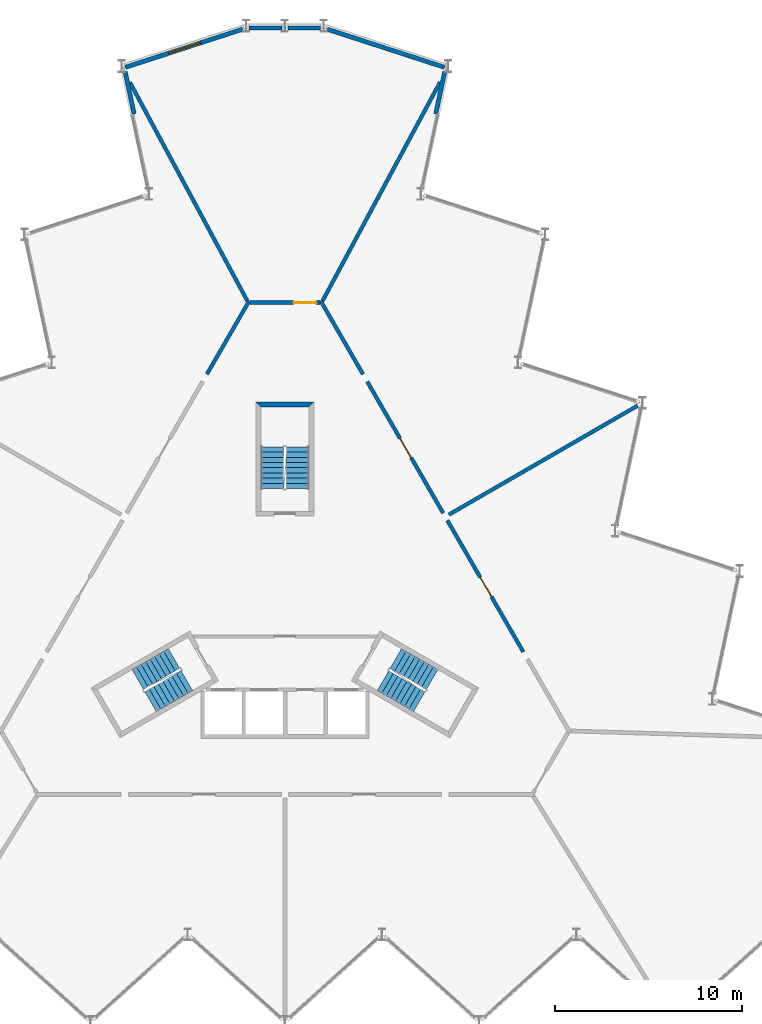
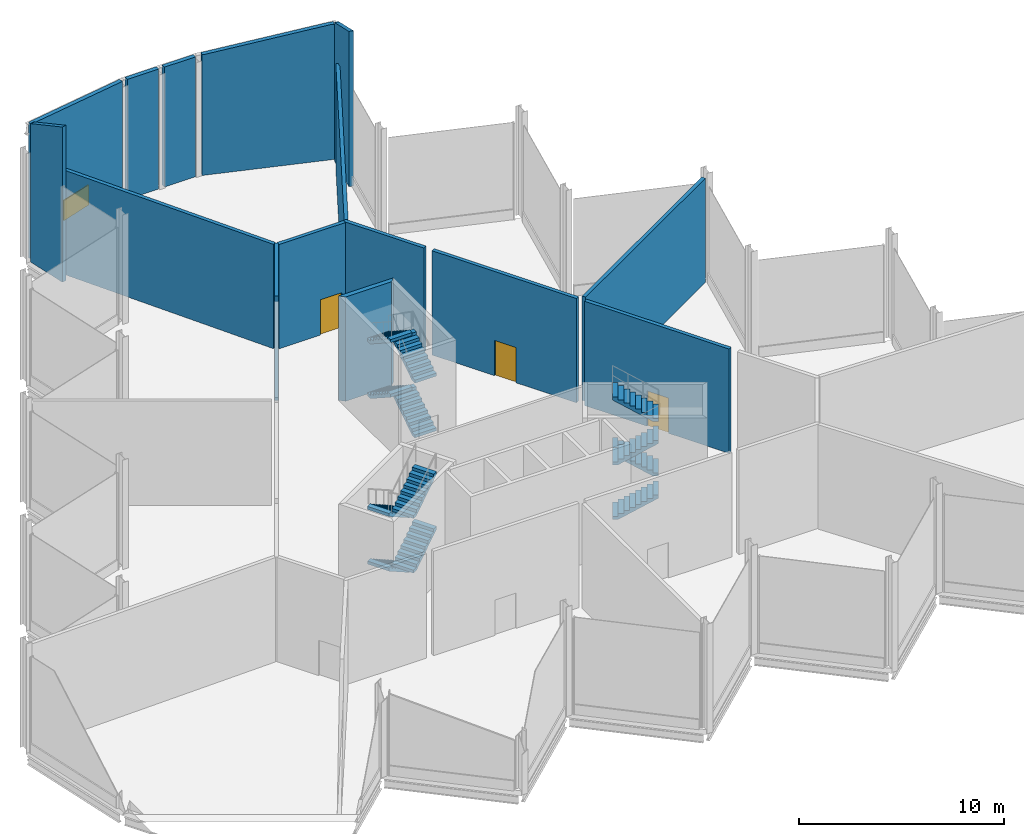
# One storey, part 11 of 12: 15 walls, 12 stair flights, 3 doors, 1 window, 4 openings, 3 elements without a shape of their own.
"""IFC4 building model written with IfcOpenShell, lengths in metres."""

from ifc_helpers import new_model, si_unit, direction, frame, frame_2d, origin, place, context, subcontext, project, spatial, polyline, rectangle, outline, extrude, material, layer, layer_set, type_object, element, fill, aggregate, save


model = new_model("IFC4")

# Units and contexts
model_context = context("Model", 3, precision=1e-05, world=origin(), true_north=direction((0.0, 1.0)))
body_context = subcontext(model_context, "Body", "Model", "MODEL_VIEW")
ifc_project = project(units=[si_unit("LENGTHUNIT", "METRE"), si_unit("AREAUNIT", "SQUARE_METRE"), si_unit("VOLUMEUNIT", "CUBIC_METRE"), si_unit("PLANEANGLEUNIT", "RADIAN"), si_unit("MASSUNIT", "GRAM", prefix="KILO")], contexts=[model_context])

# Site, building, storey
site_placement = place(None, origin())
site = spatial("IfcSite", under=ifc_project, at=site_placement, CompositionType="ELEMENT")
building_placement = place(site_placement, origin())
building = spatial("IfcBuilding", under=site, at=building_placement, Name="Cormorant Prow Tower", CompositionType="ELEMENT")
storey_placement = place(building_placement, frame((0.0, 0.0, 428.199951171875)))
storey = spatial("IfcBuildingStorey", under=building, at=storey_placement, Name="L96", CompositionType="ELEMENT", Elevation=428.199951171875)

# Wall, opening, door
ifc_material_1 = material(Name="Gypsum board corridor wall")
ifc_layer_1 = layer(ifc_material_1, 0.199951171875)
ifc_layer_set_1 = layer_set([ifc_layer_1], Name="Gypsum board corridor wall")
wall_type_1 = type_object("IfcWallType", Name="Corridor wall 200", PredefinedType="PARTITIONING", material=ifc_layer_set_1)
wall_1_placement = place(storey_placement, frame((4.403076171875, 12.184814453125, 0.0), z_axis=(0.0, 0.0, 1.0), x_axis=(0.499992155518, -0.866029932751, 0.0)))
wall_1 = element("IfcWall", 1, at=wall_1_placement, inside=storey, type_object=wall_type_1, Name="Corridor wall", PredefinedType="PARTITIONING", context=body_context, shape_type="SweptSolid", body=[
    extrude(rectangle(XDim=8.123291015625, YDim=0.199951171875, at=frame_2d((4.0615234375, 0.0))), origin(), (0.0, 0.0, 1.0), 6.199951171875),
])
opening_1_placement = place(wall_1_placement, frame((3.511962890625, 0.0, 0.0)))
opening_1 = element("IfcOpeningElement", 2, at=opening_1_placement, cuts=wall_1, Name="Opening L96-F08", PredefinedType="OPENING", context=body_context, shape_type="SweptSolid", body=[
    extrude(rectangle(XDim=1.199951171875, YDim=2.10009765625, at=frame_2d((0.60009765625, 1.050048828125))), frame((0.0, 0.10986328125, 0.0), z_axis=(0.0, -1.0, 0.0), x_axis=(1.0, 0.0, 0.0)), (0.0, 0.0, 1.0), 0.219970703125),
])
ifc_material_2 = material(Name="Timber door leaf", Category="wood")
door_type = type_object("IfcDoorType", Name="Plant room door 1200x2100", OperationType="NOTDEFINED", PredefinedType="DOOR", material=ifc_material_2)
door_1_placement = place(opening_1_placement, origin())
door_1 = element("IfcDoor", 3, at=door_1_placement, inside=storey, type_object=door_type, Name="Water tank room door", OperationType="SINGLE_SWING_RIGHT", OverallHeight=2.10009765625, OverallWidth=1.199951171875, PredefinedType="DOOR", context=body_context, shape_type="SweptSolid", body=[
    extrude(rectangle(XDim=1.199951171875, YDim=2.10009765625, at=frame_2d((0.60009765625, 1.050048828125))), frame((0.0, 0.02490234375, 0.0), z_axis=(0.0, -1.0, 0.0), x_axis=(1.0, 0.0, 0.0)), (0.0, 0.0, 1.0), 0.050048828125),
])
fill(opening_1, door_1)

wall_2_placement = place(storey_placement, frame((8.692138671875, 4.755859375, 0.0), z_axis=(0.0, 0.0, 1.0), x_axis=(0.500001682468, -0.866024432409, 0.0)))
wall_2 = element("IfcWall", 4, at=wall_2_placement, inside=storey, type_object=wall_type_1, Name="Corridor wall", PredefinedType="PARTITIONING", context=body_context, shape_type="SweptSolid", body=[
    extrude(rectangle(XDim=8.12353515625, YDim=0.199951171875, at=frame_2d((4.061767578125, 0.0))), origin(), (0.0, 0.0, 1.0), 6.199951171875),
])
opening_2_placement = place(wall_2_placement, frame((3.511962890625, 0.0, 0.0)))
opening_2 = element("IfcOpeningElement", 5, at=opening_2_placement, cuts=wall_2, Name="Opening L96-F06", PredefinedType="OPENING", context=body_context, shape_type="SweptSolid", body=[
    extrude(rectangle(XDim=1.199951171875, YDim=2.10009765625, at=frame_2d((0.60009765625, 1.050048828125))), frame((0.0, 0.10986328125, 0.0), z_axis=(0.0, -1.0, 0.0), x_axis=(1.0, 0.0, 0.0)), (0.0, 0.0, 1.0), 0.219970703125),
])
door_2_placement = place(opening_2_placement, origin())
door_2 = element("IfcDoor", 6, at=door_2_placement, inside=storey, type_object=door_type, Name="Damper plant room door", OperationType="SINGLE_SWING_LEFT", OverallHeight=2.10009765625, OverallWidth=1.199951171875, PredefinedType="DOOR", context=body_context, shape_type="SweptSolid", body=[
    extrude(rectangle(XDim=1.199951171875, YDim=2.10009765625, at=frame_2d((0.60009765625, 1.050048828125))), frame((0.0, 0.02490234375, 0.0), z_axis=(0.0, -1.0, 0.0), x_axis=(1.0, 0.0, 0.0)), (0.0, 0.0, 1.0), 0.050048828125),
])
fill(opening_2, door_2)

# Walls
for number, where, z_axis, x_axis, name in (
    (7, (1.9130859375, 16.497802734375, 0.0), (0.0, 0.0, 1.0), (0.499974648164, -0.866040040179, 0.0), "Corridor wall"),
    (8, (-4.175537109375, 12.578857421875, 0.0), (0.0, 0.0, 1.0), (0.499974648164, 0.866040040179, 0.0), "Corridor wall"),
):
    element("IfcWall", number, at=place(storey_placement, frame(where, z_axis=z_axis, x_axis=x_axis)), inside=storey, type_object=wall_type_1, Name=name, PredefinedType="PARTITIONING", context=body_context, shape_type="SweptSolid", body=[
        extrude(rectangle(XDim=4.525146484375, YDim=0.199951171875, at=frame_2d((2.2626953125, 0.0))), origin(), (0.0, 0.0, 1.0), 6.199951171875),
    ])

# Wall, opening, door
wall_3_placement = place(storey_placement, frame((-1.863037109375, 16.4111328125, 0.0), z_axis=(0.0, 0.0, 1.0), x_axis=(1.0, 0.0, 0.0)))
wall_3 = element("IfcWall", 9, at=wall_3_placement, inside=storey, type_object=wall_type_1, Name="Corridor wall", PredefinedType="PARTITIONING", context=body_context, shape_type="SweptSolid", body=[
    extrude(rectangle(XDim=3.72607421875, YDim=0.199951171875, at=frame_2d((1.863037109375, 0.0))), origin(), (0.0, 0.0, 1.0), 6.199951171875),
])
opening_3_placement = place(wall_3_placement, frame((2.324951171875, 0.0, 0.0)))
opening_3 = element("IfcOpeningElement", 10, at=opening_3_placement, cuts=wall_3, Name="Opening L96-F09", PredefinedType="OPENING", context=body_context, shape_type="SweptSolid", body=[
    extrude(rectangle(XDim=1.199951171875, YDim=2.10009765625, at=frame_2d((0.60009765625, 1.050048828125))), frame((0.0, 0.10986328125, 0.0), z_axis=(0.0, -1.0, 0.0), x_axis=(1.0, 0.0, 0.0)), (0.0, 0.0, 1.0), 0.219970703125),
])
door_3_placement = place(opening_3_placement, origin())
door_3 = element("IfcDoor", 11, at=door_3_placement, inside=storey, type_object=door_type, Name="Electrical switch room door", OperationType="SINGLE_SWING_RIGHT", OverallHeight=2.10009765625, OverallWidth=1.199951171875, PredefinedType="DOOR", context=body_context, shape_type="SweptSolid", body=[
    extrude(rectangle(XDim=1.199951171875, YDim=2.10009765625, at=frame_2d((0.60009765625, 1.050048828125))), frame((0.0, 0.02490234375, 0.0), z_axis=(0.0, -1.0, 0.0), x_axis=(1.0, 0.0, 0.0)), (0.0, 0.0, 1.0), 0.050048828125),
])
fill(opening_3, door_3)

# Walls
ifc_material_3 = material(Name="Gypsum board demising wall")
ifc_layer_2 = layer(ifc_material_3, 0.199951171875)
ifc_layer_set_2 = layer_set([ifc_layer_2], Name="Gypsum board demising wall")
wall_type_2 = type_object("IfcWallType", Name="Demising wall 200", PredefinedType="PARTITIONING", material=ifc_layer_set_2)
for number, where, z_axis, x_axis, name in (
    (12, (-8.296875, 28.1982421875, 0.0), (0.0, 0.0, 1.0), (0.473329013162, -0.880885716367, 0.0), "Demising wall"),
    (13, (2.010498046875, 16.4990234375, 0.0), (0.0, 0.0, 1.0), (0.473329013162, 0.880885716367, 0.0), "Demising wall"),
):
    element("IfcWall", number, at=place(storey_placement, frame(where, z_axis=z_axis, x_axis=x_axis)), inside=storey, type_object=wall_type_2, Name=name, PredefinedType="PARTITIONING", context=body_context, shape_type="SweptSolid", body=[
        extrude(rectangle(XDim=13.28125, YDim=0.199951171875, at=frame_2d((6.640625, 0.0))), origin(), (0.0, 0.0, 1.0), 6.199951171875),
    ])
wall_4_placement = place(storey_placement, frame((8.775390625, 5.06640625, 0.0), z_axis=(0.0, 0.0, 1.0), x_axis=(0.866023724155, 0.500002909193, 0.0)))
element("IfcWall", 14, at=wall_4_placement, inside=storey, type_object=wall_type_2, Name="Demising wall", PredefinedType="PARTITIONING", context=body_context, shape_type="SweptSolid", body=[
    extrude(rectangle(XDim=11.65478515625, YDim=0.199951171875, at=frame_2d((5.827392578125, 0.0))), origin(), (0.0, 0.0, 1.0), 6.199951171875),
])
ifc_material_4 = material(Name="Concrete 8000 psi", Category="concrete")
ifc_layer_3 = layer(ifc_material_4, 0.25)
ifc_layer_set_3 = layer_set([ifc_layer_3], Name="Concrete 8000 psi")
wall_type_3 = type_object("IfcWallType", Name="Stair wall 250", PredefinedType="SHEAR", material=ifc_layer_set_3)
wall_5_placement = place(storey_placement, origin())
element("IfcWall", 15, at=wall_5_placement, inside=storey, type_object=wall_type_3, Name="Stair ST3 enclosure wall (end)", PredefinedType="SHEAR", context=body_context, shape_type="SweptSolid", body=[
    extrude(outline(polyline([(1.5439453125, 11.0869140625), (-1.5439453125, 11.0869140625), (-1.2939453125, 10.8369140625), (1.2939453125, 10.8369140625), (1.5439453125, 11.0869140625)])), origin(), (0.0, 0.0, 1.0), 6.199951171875),
])
ifc_material_5 = material(Name="Terracotta", Category="masonry")
ifc_layer_4 = layer(ifc_material_5, 0.22998046875)
ifc_layer_set_4 = layer_set([ifc_layer_4], Name="Terracotta")
wall_type_4 = type_object("IfcWallType", Name="Terracotta crown cladding wall 230", PredefinedType="SOLIDWALL", material=ifc_layer_set_4)
wall_6_placement = place(storey_placement, frame((8.0673828125, 26.5, 0.0), z_axis=(0.0, 0.0, 1.0), x_axis=(0.208010679667, 0.978126554769, 0.0)))
element("IfcWall", 16, at=wall_6_placement, inside=storey, type_object=wall_type_4, Name="Terracotta raked crown wall ENE08", PredefinedType="SOLIDWALL", context=body_context, shape_type="SweptSolid", body=[
    extrude(outline(polyline([(0.0, 0.0), (2.306396484375, 0.0), (2.306396484375, 8.242431640625), (2.27294921875, 8.242431640625), (0.0, 9.2265625), (0.0, 0.0)])), frame((0.0, 0.114990234375, 0.0), z_axis=(0.0, -1.0, 0.0), x_axis=(1.0, 0.0, 0.0)), (0.0, 0.0, 1.0), 0.22998046875),
])
wall_7_placement = place(storey_placement, frame((8.536865234375, 28.99853515625, 0.0), z_axis=(0.0, 0.0, 1.0), x_axis=(-0.951051480046, 0.309032493925, 0.0)))
element("IfcWall", 17, at=wall_7_placement, inside=storey, type_object=wall_type_4, Name="Terracotta raked crown wall ENE09", PredefinedType="SOLIDWALL", context=body_context, shape_type="SweptSolid", body=[
    extrude(outline(polyline([(0.0, 0.0), (6.59423828125, 0.0), (6.59423828125, 7.1767578125), (6.467041015625, 7.1767578125), (0.201904296875, 8.033935546875), (0.0, 8.033935546875), (0.0, 0.0)])), frame((0.0, 0.114990234375, 0.0), z_axis=(0.0, -1.0, 0.0), x_axis=(1.0, 0.0, 0.0)), (0.0, 0.0, 1.0), 0.22998046875),
])
for number, where, z_axis, x_axis, name in (
    (18, (1.91064453125, 31.1044921875, 0.0), (0.0, 0.0, 1.0), (-1.0, 0.0, 0.0), "Terracotta raked crown wall N00"),
    (19, (-0.163330078125, 31.1044921875, 0.0), (0.0, 0.0, 1.0), (-1.0, 0.0, 0.0), "Terracotta raked crown wall N01"),
):
    element("IfcWall", number, at=place(storey_placement, frame(where, z_axis=z_axis, x_axis=x_axis)), inside=storey, type_object=wall_type_4, Name=name, PredefinedType="SOLIDWALL", context=body_context, shape_type="SweptSolid", body=[
        extrude(outline(polyline([(0.0, 0.0), (1.747314453125, 0.0), (1.747314453125, 7.126708984375), (1.54443359375, 7.126708984375), (0.20263671875, 7.126708984375), (0.0, 7.126708984375), (0.0, 0.0)])), frame((0.0, 0.114990234375, 0.0), z_axis=(0.0, -1.0, 0.0), x_axis=(1.0, 0.0, 0.0)), (0.0, 0.0, 1.0), 0.22998046875),
    ])

# Wall, opening, window
wall_8_placement = place(storey_placement, frame((-2.265380859375, 31.036376953125, 0.0), z_axis=(0.0, 0.0, 1.0), x_axis=(-0.951051480046, -0.309032493925, 0.0)))
wall_8 = element("IfcWall", 20, at=wall_8_placement, inside=storey, type_object=wall_type_4, Name="Terracotta raked crown wall WNW00", PredefinedType="SOLIDWALL", context=body_context, shape_type="SweptSolid", body=[
    extrude(outline(polyline([(0.0, 0.0), (6.59423828125, 0.0), (6.59423828125, 8.033935546875), (6.392333984375, 8.033935546875), (0.127197265625, 7.1767578125), (0.0, 7.1767578125), (0.0, 0.0)])), frame((0.0, 0.114990234375, 0.0), z_axis=(0.0, -1.0, 0.0), x_axis=(1.0, 0.0, 0.0)), (0.0, 0.0, 1.0), 0.22998046875),
])
opening_4_placement = place(wall_8_placement, frame((2.359619140625, 0.0, 1.0)))
opening_4 = element("IfcOpeningElement", 21, at=opening_4_placement, cuts=wall_8, Name="Opening WN2", PredefinedType="OPENING", context=body_context, shape_type="SweptSolid", body=[
    extrude(rectangle(XDim=1.800048828125, YDim=1.199951171875, at=frame_2d((0.89990234375, 0.60009765625))), frame((0.0, 0.125, 0.0), z_axis=(0.0, -1.0, 0.0), x_axis=(1.0, 0.0, 0.0)), (0.0, 0.0, 1.0), 0.25),
])
ifc_material_6 = material(Name="Aluminium 6063-T6", Category="aluminium")
window_type = type_object("IfcWindowType", Name="Crown skylight 1800x1200", PartitioningType="SINGLE_PANEL", PredefinedType="SKYLIGHT", material=ifc_material_6)
window_placement = place(opening_4_placement, origin())
window = element("IfcWindow", 22, at=window_placement, inside=storey, type_object=window_type, Name="Crown skylight WNW00", OverallHeight=1.199951171875, OverallWidth=1.800048828125, PartitioningType="SINGLE_PANEL", PredefinedType="SKYLIGHT", context=body_context, shape_type="SweptSolid", body=[
    extrude(rectangle(XDim=1.800048828125, YDim=1.199951171875, at=frame_2d((0.89990234375, 0.60009765625))), frame((0.0, 0.030029296875, 0.0), z_axis=(0.0, -1.0, 0.0), x_axis=(1.0, 0.0, 0.0)), (0.0, 0.0, 1.0), 0.06005859375),
])
fill(opening_4, window)

# Wall
wall_9_placement = place(storey_placement, frame((-8.547119140625, 28.755859375, 0.0), z_axis=(0.0, 0.0, 1.0), x_axis=(0.208010679667, -0.978126554769, 0.0)))
element("IfcWall", 23, at=wall_9_placement, inside=storey, type_object=wall_type_4, Name="Terracotta raked crown wall WNW01", PredefinedType="SOLIDWALL", context=body_context, shape_type="SweptSolid", body=[
    extrude(outline(polyline([(0.0, 0.0), (2.306396484375, 0.0), (2.306396484375, 9.2265625), (0.033447265625, 8.242431640625), (0.0, 8.242431640625), (0.0, 0.0)])), frame((0.0, 0.114990234375, 0.0), z_axis=(0.0, -1.0, 0.0), x_axis=(1.0, 0.0, 0.0)), (0.0, 0.0, 1.0), 0.22998046875),
])

# Stair, stair flights
ifc_material_7 = material(Name="Exit stair 36 risers")
stair_type = type_object("IfcStairType", Name="Exit stair 36 risers", PredefinedType="HALF_TURN_STAIR", material=ifc_material_7)
stair_1_placement = place(storey_placement, origin())
stair_1 = element("IfcStair", 24, at=stair_1_placement, inside=storey, type_object=stair_type, Name="L96 Exit stair ST1", PredefinedType="HALF_TURN_STAIR")
ifc_material_8 = material(Name="Concrete 5000 psi", Category="concrete")
stair_flight_type = type_object("IfcStairFlightType", Name="Stair flight 1219", PredefinedType="STRAIGHT", material=ifc_material_8)
stair_flight_1_placement = place(storey_placement, frame((-5.93310546875, -2.635009765625, 0.0), z_axis=(0.0, 0.0, 1.0), x_axis=(-0.866025403784, -0.5, 0.0)))
stair_flight_1 = element("IfcStairFlight", 25, at=stair_flight_1_placement, type_object=stair_flight_type, Name="ST1 flight 1", NumberOfRisers=9, NumberOfTreads=8, PredefinedType="STRAIGHT", RiserHeight=0.180555556, TreadLength=0.28, context=body_context, shape_type="SweptSolid", body=[
    extrude(outline(polyline([(0.0, 0.0), (0.0, 0.1806640625), (0.280029296875, 0.1806640625), (0.280029296875, 0.361083984375), (0.56005859375, 0.361083984375), (0.56005859375, 0.541748046875), (0.840087890625, 0.541748046875), (0.840087890625, 0.72216796875), (1.1201171875, 0.72216796875), (1.1201171875, 0.90283203125), (1.39990234375, 0.90283203125), (1.39990234375, 1.083251953125), (1.679931640625, 1.083251953125), (1.679931640625, 1.263916015625), (1.9599609375, 1.263916015625), (1.9599609375, 1.4443359375), (2.239990234375, 1.4443359375), (2.239990234375, 1.625), (2.239990234375, 1.26611328125), (0.276611328125, 0.0), (0.0, 0.0)])), frame((0.0, 0.609375, 0.0), z_axis=(0.0, -1.0, 0.0), x_axis=(1.0, 0.0, 0.0)), (0.0, 0.0, 1.0), 1.218994140625),
])
stair_flight_2_placement = place(storey_placement, frame((-7.1884765625, -4.940673828125, 1.625), z_axis=(0.0, 0.0, 1.0), x_axis=(0.866025403784, 0.5, 0.0)))
stair_flight_2 = element("IfcStairFlight", 26, at=stair_flight_2_placement, type_object=stair_flight_type, Name="ST1 flight 2", NumberOfRisers=9, NumberOfTreads=8, PredefinedType="STRAIGHT", RiserHeight=0.180555556, TreadLength=0.28, context=body_context, shape_type="SweptSolid", body=[
    extrude(outline(polyline([(0.0, 0.0), (0.0, 0.1806640625), (0.280029296875, 0.1806640625), (0.280029296875, 0.361083984375), (0.56005859375, 0.361083984375), (0.56005859375, 0.541748046875), (0.840087890625, 0.541748046875), (0.840087890625, 0.72216796875), (1.1201171875, 0.72216796875), (1.1201171875, 0.90283203125), (1.39990234375, 0.90283203125), (1.39990234375, 1.083251953125), (1.679931640625, 1.083251953125), (1.679931640625, 1.263916015625), (1.9599609375, 1.263916015625), (1.9599609375, 1.4443359375), (2.239990234375, 1.4443359375), (2.239990234375, 1.625), (2.239990234375, 1.26611328125), (0.276611328125, 0.0), (0.0, 0.0)])), frame((0.0, 0.609375, 0.0), z_axis=(0.0, -1.0, 0.0), x_axis=(1.0, 0.0, 0.0)), (0.0, 0.0, 1.0), 1.218994140625),
])
stair_flight_3_placement = place(storey_placement, frame((-5.93310546875, -2.635009765625, 3.25), z_axis=(0.0, 0.0, 1.0), x_axis=(-0.866025403784, -0.5, 0.0)))
stair_flight_3 = element("IfcStairFlight", 27, at=stair_flight_3_placement, type_object=stair_flight_type, Name="ST1 flight 3", NumberOfRisers=9, NumberOfTreads=8, PredefinedType="STRAIGHT", RiserHeight=0.180555556, TreadLength=0.28, context=body_context, shape_type="SweptSolid", body=[
    extrude(outline(polyline([(0.0, 0.0), (0.0, 0.1806640625), (0.280029296875, 0.1806640625), (0.280029296875, 0.361083984375), (0.56005859375, 0.361083984375), (0.56005859375, 0.541748046875), (0.840087890625, 0.541748046875), (0.840087890625, 0.72216796875), (1.1201171875, 0.72216796875), (1.1201171875, 0.90283203125), (1.39990234375, 0.90283203125), (1.39990234375, 1.083251953125), (1.679931640625, 1.083251953125), (1.679931640625, 1.263916015625), (1.9599609375, 1.263916015625), (1.9599609375, 1.4443359375), (2.239990234375, 1.4443359375), (2.239990234375, 1.625), (2.239990234375, 1.26611328125), (0.276611328125, 0.0), (0.0, 0.0)])), frame((0.0, 0.609375, 0.0), z_axis=(0.0, -1.0, 0.0), x_axis=(1.0, 0.0, 0.0)), (0.0, 0.0, 1.0), 1.218994140625),
])
stair_flight_4_placement = place(storey_placement, frame((-7.1884765625, -4.940673828125, 4.875), z_axis=(0.0, 0.0, 1.0), x_axis=(0.866025403784, 0.5, 0.0)))
stair_flight_4 = element("IfcStairFlight", 28, at=stair_flight_4_placement, type_object=stair_flight_type, Name="ST1 flight 4", NumberOfRisers=9, NumberOfTreads=8, PredefinedType="STRAIGHT", RiserHeight=0.180555556, TreadLength=0.28, context=body_context, shape_type="SweptSolid", body=[
    extrude(outline(polyline([(0.0, 0.0), (0.0, 0.1806640625), (0.280029296875, 0.1806640625), (0.280029296875, 0.361083984375), (0.56005859375, 0.361083984375), (0.56005859375, 0.541748046875), (0.840087890625, 0.541748046875), (0.840087890625, 0.72216796875), (1.1201171875, 0.72216796875), (1.1201171875, 0.90283203125), (1.39990234375, 0.90283203125), (1.39990234375, 1.083251953125), (1.679931640625, 1.083251953125), (1.679931640625, 1.263916015625), (1.9599609375, 1.263916015625), (1.9599609375, 1.4443359375), (2.239990234375, 1.4443359375), (2.239990234375, 1.625), (2.239990234375, 1.26611328125), (0.276611328125, 0.0), (0.0, 0.0)])), frame((0.0, 0.609375, 0.0), z_axis=(0.0, -1.0, 0.0), x_axis=(1.0, 0.0, 0.0)), (0.0, 0.0, 1.0), 1.218994140625),
])
aggregate(stair_1, [stair_flight_1, stair_flight_2, stair_flight_3, stair_flight_4])

stair_2_placement = place(storey_placement, origin())
stair_2 = element("IfcStair", 29, at=stair_2_placement, inside=storey, type_object=stair_type, Name="L96 Exit stair ST2", PredefinedType="HALF_TURN_STAIR")
stair_flight_5_placement = place(storey_placement, frame((5.24853515625, -3.82080078125, 0.0), z_axis=(0.0, 0.0, 1.0), x_axis=(0.866025403784, -0.5, 0.0)))
stair_flight_5 = element("IfcStairFlight", 30, at=stair_flight_5_placement, type_object=stair_flight_type, Name="ST2 flight 1", NumberOfRisers=9, NumberOfTreads=8, PredefinedType="STRAIGHT", RiserHeight=0.180555556, TreadLength=0.28, context=body_context, shape_type="SweptSolid", body=[
    extrude(outline(polyline([(0.0, 0.0), (0.0, 0.1806640625), (0.280029296875, 0.1806640625), (0.280029296875, 0.361083984375), (0.56005859375, 0.361083984375), (0.56005859375, 0.541748046875), (0.840087890625, 0.541748046875), (0.840087890625, 0.72216796875), (1.1201171875, 0.72216796875), (1.1201171875, 0.90283203125), (1.39990234375, 0.90283203125), (1.39990234375, 1.083251953125), (1.679931640625, 1.083251953125), (1.679931640625, 1.263916015625), (1.9599609375, 1.263916015625), (1.9599609375, 1.4443359375), (2.239990234375, 1.4443359375), (2.239990234375, 1.625), (2.239990234375, 1.26611328125), (0.276611328125, 0.0), (0.0, 0.0)])), frame((0.0, 0.609375, 0.0), z_axis=(0.0, -1.0, 0.0), x_axis=(1.0, 0.0, 0.0)), (0.0, 0.0, 1.0), 1.218994140625),
])
stair_flight_6_placement = place(storey_placement, frame((7.873046875, -3.755126953125, 1.625), z_axis=(0.0, 0.0, 1.0), x_axis=(-0.866025403784, 0.5, 0.0)))
stair_flight_6 = element("IfcStairFlight", 31, at=stair_flight_6_placement, type_object=stair_flight_type, Name="ST2 flight 2", NumberOfRisers=9, NumberOfTreads=8, PredefinedType="STRAIGHT", RiserHeight=0.180555556, TreadLength=0.28, context=body_context, shape_type="SweptSolid", body=[
    extrude(outline(polyline([(0.0, 0.0), (0.0, 0.1806640625), (0.280029296875, 0.1806640625), (0.280029296875, 0.361083984375), (0.56005859375, 0.361083984375), (0.56005859375, 0.541748046875), (0.840087890625, 0.541748046875), (0.840087890625, 0.72216796875), (1.1201171875, 0.72216796875), (1.1201171875, 0.90283203125), (1.39990234375, 0.90283203125), (1.39990234375, 1.083251953125), (1.679931640625, 1.083251953125), (1.679931640625, 1.263916015625), (1.9599609375, 1.263916015625), (1.9599609375, 1.4443359375), (2.239990234375, 1.4443359375), (2.239990234375, 1.625), (2.239990234375, 1.26611328125), (0.276611328125, 0.0), (0.0, 0.0)])), frame((0.0, 0.609375, 0.0), z_axis=(0.0, -1.0, 0.0), x_axis=(1.0, 0.0, 0.0)), (0.0, 0.0, 1.0), 1.218994140625),
])
stair_flight_7_placement = place(storey_placement, frame((5.24853515625, -3.82080078125, 3.25), z_axis=(0.0, 0.0, 1.0), x_axis=(0.866025403784, -0.5, 0.0)))
stair_flight_7 = element("IfcStairFlight", 32, at=stair_flight_7_placement, type_object=stair_flight_type, Name="ST2 flight 3", NumberOfRisers=9, NumberOfTreads=8, PredefinedType="STRAIGHT", RiserHeight=0.180555556, TreadLength=0.28, context=body_context, shape_type="SweptSolid", body=[
    extrude(outline(polyline([(0.0, 0.0), (0.0, 0.1806640625), (0.280029296875, 0.1806640625), (0.280029296875, 0.361083984375), (0.56005859375, 0.361083984375), (0.56005859375, 0.541748046875), (0.840087890625, 0.541748046875), (0.840087890625, 0.72216796875), (1.1201171875, 0.72216796875), (1.1201171875, 0.90283203125), (1.39990234375, 0.90283203125), (1.39990234375, 1.083251953125), (1.679931640625, 1.083251953125), (1.679931640625, 1.263916015625), (1.9599609375, 1.263916015625), (1.9599609375, 1.4443359375), (2.239990234375, 1.4443359375), (2.239990234375, 1.625), (2.239990234375, 1.26611328125), (0.276611328125, 0.0), (0.0, 0.0)])), frame((0.0, 0.609375, 0.0), z_axis=(0.0, -1.0, 0.0), x_axis=(1.0, 0.0, 0.0)), (0.0, 0.0, 1.0), 1.218994140625),
])
stair_flight_8_placement = place(storey_placement, frame((7.873046875, -3.755126953125, 4.875), z_axis=(0.0, 0.0, 1.0), x_axis=(-0.866025403784, 0.5, 0.0)))
stair_flight_8 = element("IfcStairFlight", 33, at=stair_flight_8_placement, type_object=stair_flight_type, Name="ST2 flight 4", NumberOfRisers=9, NumberOfTreads=8, PredefinedType="STRAIGHT", RiserHeight=0.180555556, TreadLength=0.28, context=body_context, shape_type="SweptSolid", body=[
    extrude(outline(polyline([(0.0, 0.0), (0.0, 0.1806640625), (0.280029296875, 0.1806640625), (0.280029296875, 0.361083984375), (0.56005859375, 0.361083984375), (0.56005859375, 0.541748046875), (0.840087890625, 0.541748046875), (0.840087890625, 0.72216796875), (1.1201171875, 0.72216796875), (1.1201171875, 0.90283203125), (1.39990234375, 0.90283203125), (1.39990234375, 1.083251953125), (1.679931640625, 1.083251953125), (1.679931640625, 1.263916015625), (1.9599609375, 1.263916015625), (1.9599609375, 1.4443359375), (2.239990234375, 1.4443359375), (2.239990234375, 1.625), (2.239990234375, 1.26611328125), (0.276611328125, 0.0), (0.0, 0.0)])), frame((0.0, 0.609375, 0.0), z_axis=(0.0, -1.0, 0.0), x_axis=(1.0, 0.0, 0.0)), (0.0, 0.0, 1.0), 1.218994140625),
])
aggregate(stair_2, [stair_flight_5, stair_flight_6, stair_flight_7, stair_flight_8])

stair_3_placement = place(storey_placement, origin())
stair_3 = element("IfcStair", 34, at=stair_3_placement, inside=storey, type_object=stair_type, Name="L96 Exit stair ST3", PredefinedType="HALF_TURN_STAIR")
stair_flight_9_placement = place(storey_placement, frame((0.6845703125, 6.455810546875, 0.0), z_axis=(0.0, 0.0, 1.0), x_axis=(0.0, 1.0, 0.0)))
stair_flight_9 = element("IfcStairFlight", 35, at=stair_flight_9_placement, type_object=stair_flight_type, Name="ST3 flight 1", NumberOfRisers=9, NumberOfTreads=8, PredefinedType="STRAIGHT", RiserHeight=0.180555556, TreadLength=0.28, context=body_context, shape_type="SweptSolid", body=[
    extrude(outline(polyline([(0.0, 0.0), (0.0, 0.1806640625), (0.280029296875, 0.1806640625), (0.280029296875, 0.361083984375), (0.56005859375, 0.361083984375), (0.56005859375, 0.541748046875), (0.840087890625, 0.541748046875), (0.840087890625, 0.72216796875), (1.1201171875, 0.72216796875), (1.1201171875, 0.90283203125), (1.39990234375, 0.90283203125), (1.39990234375, 1.083251953125), (1.679931640625, 1.083251953125), (1.679931640625, 1.263916015625), (1.9599609375, 1.263916015625), (1.9599609375, 1.4443359375), (2.239990234375, 1.4443359375), (2.239990234375, 1.625), (2.239990234375, 1.26611328125), (0.276611328125, 0.0), (0.0, 0.0)])), frame((0.0, 0.609375, 0.0), z_axis=(0.0, -1.0, 0.0), x_axis=(1.0, 0.0, 0.0)), (0.0, 0.0, 1.0), 1.218994140625),
])
stair_flight_10_placement = place(storey_placement, frame((-0.6845703125, 8.69580078125, 1.625), z_axis=(0.0, 0.0, 1.0), x_axis=(0.0, -1.0, 0.0)))
stair_flight_10 = element("IfcStairFlight", 36, at=stair_flight_10_placement, type_object=stair_flight_type, Name="ST3 flight 2", NumberOfRisers=9, NumberOfTreads=8, PredefinedType="STRAIGHT", RiserHeight=0.180555556, TreadLength=0.28, context=body_context, shape_type="SweptSolid", body=[
    extrude(outline(polyline([(0.0, 0.0), (0.0, 0.1806640625), (0.280029296875, 0.1806640625), (0.280029296875, 0.361083984375), (0.56005859375, 0.361083984375), (0.56005859375, 0.541748046875), (0.840087890625, 0.541748046875), (0.840087890625, 0.72216796875), (1.1201171875, 0.72216796875), (1.1201171875, 0.90283203125), (1.39990234375, 0.90283203125), (1.39990234375, 1.083251953125), (1.679931640625, 1.083251953125), (1.679931640625, 1.263916015625), (1.9599609375, 1.263916015625), (1.9599609375, 1.4443359375), (2.239990234375, 1.4443359375), (2.239990234375, 1.625), (2.239990234375, 1.26611328125), (0.276611328125, 0.0), (0.0, 0.0)])), frame((0.0, 0.609375, 0.0), z_axis=(0.0, -1.0, 0.0), x_axis=(1.0, 0.0, 0.0)), (0.0, 0.0, 1.0), 1.218994140625),
])
stair_flight_11_placement = place(storey_placement, frame((0.6845703125, 6.455810546875, 3.25), z_axis=(0.0, 0.0, 1.0), x_axis=(0.0, 1.0, 0.0)))
stair_flight_11 = element("IfcStairFlight", 37, at=stair_flight_11_placement, type_object=stair_flight_type, Name="ST3 flight 3", NumberOfRisers=9, NumberOfTreads=8, PredefinedType="STRAIGHT", RiserHeight=0.180555556, TreadLength=0.28, context=body_context, shape_type="SweptSolid", body=[
    extrude(outline(polyline([(0.0, 0.0), (0.0, 0.1806640625), (0.280029296875, 0.1806640625), (0.280029296875, 0.361083984375), (0.56005859375, 0.361083984375), (0.56005859375, 0.541748046875), (0.840087890625, 0.541748046875), (0.840087890625, 0.72216796875), (1.1201171875, 0.72216796875), (1.1201171875, 0.90283203125), (1.39990234375, 0.90283203125), (1.39990234375, 1.083251953125), (1.679931640625, 1.083251953125), (1.679931640625, 1.263916015625), (1.9599609375, 1.263916015625), (1.9599609375, 1.4443359375), (2.239990234375, 1.4443359375), (2.239990234375, 1.625), (2.239990234375, 1.26611328125), (0.276611328125, 0.0), (0.0, 0.0)])), frame((0.0, 0.609375, 0.0), z_axis=(0.0, -1.0, 0.0), x_axis=(1.0, 0.0, 0.0)), (0.0, 0.0, 1.0), 1.218994140625),
])
stair_flight_12_placement = place(storey_placement, frame((-0.6845703125, 8.69580078125, 4.875), z_axis=(0.0, 0.0, 1.0), x_axis=(0.0, -1.0, 0.0)))
stair_flight_12 = element("IfcStairFlight", 38, at=stair_flight_12_placement, type_object=stair_flight_type, Name="ST3 flight 4", NumberOfRisers=9, NumberOfTreads=8, PredefinedType="STRAIGHT", RiserHeight=0.180555556, TreadLength=0.28, context=body_context, shape_type="SweptSolid", body=[
    extrude(outline(polyline([(0.0, 0.0), (0.0, 0.1806640625), (0.280029296875, 0.1806640625), (0.280029296875, 0.361083984375), (0.56005859375, 0.361083984375), (0.56005859375, 0.541748046875), (0.840087890625, 0.541748046875), (0.840087890625, 0.72216796875), (1.1201171875, 0.72216796875), (1.1201171875, 0.90283203125), (1.39990234375, 0.90283203125), (1.39990234375, 1.083251953125), (1.679931640625, 1.083251953125), (1.679931640625, 1.263916015625), (1.9599609375, 1.263916015625), (1.9599609375, 1.4443359375), (2.239990234375, 1.4443359375), (2.239990234375, 1.625), (2.239990234375, 1.26611328125), (0.276611328125, 0.0), (0.0, 0.0)])), frame((0.0, 0.609375, 0.0), z_axis=(0.0, -1.0, 0.0), x_axis=(1.0, 0.0, 0.0)), (0.0, 0.0, 1.0), 1.218994140625),
])
aggregate(stair_3, [stair_flight_9, stair_flight_10, stair_flight_11, stair_flight_12])

save(model, "model.ifc")
